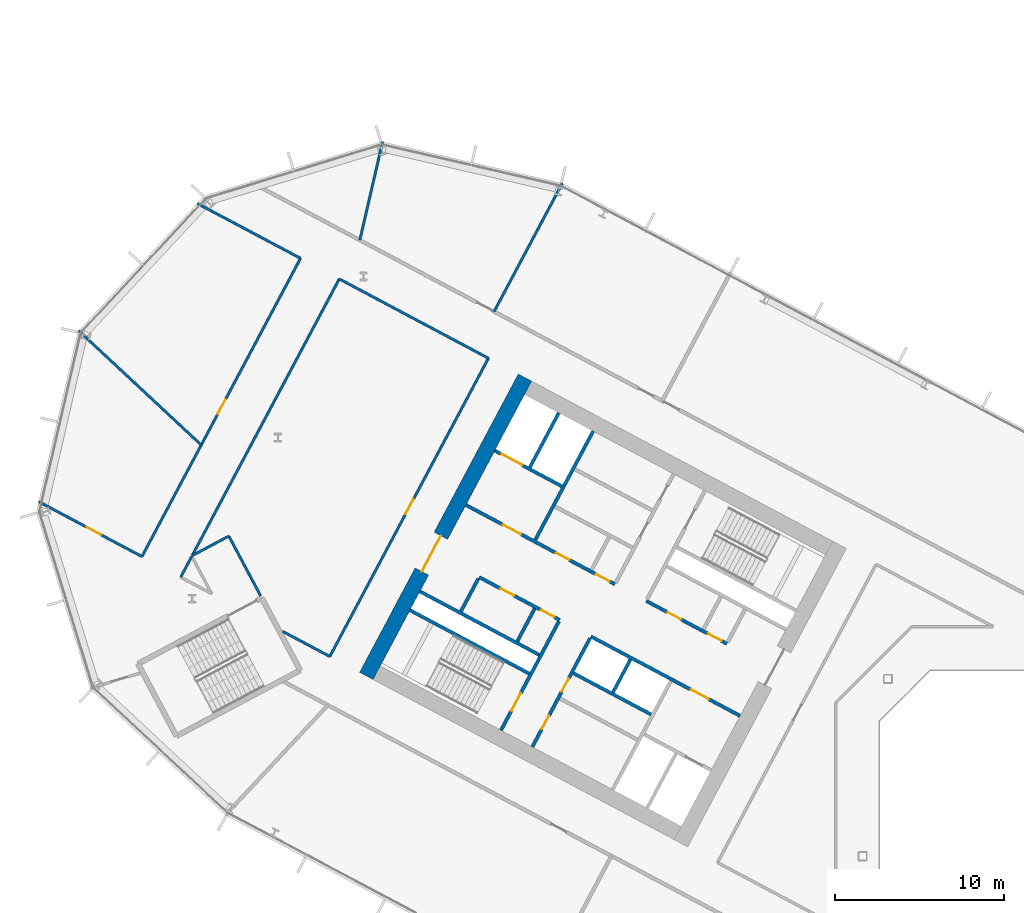
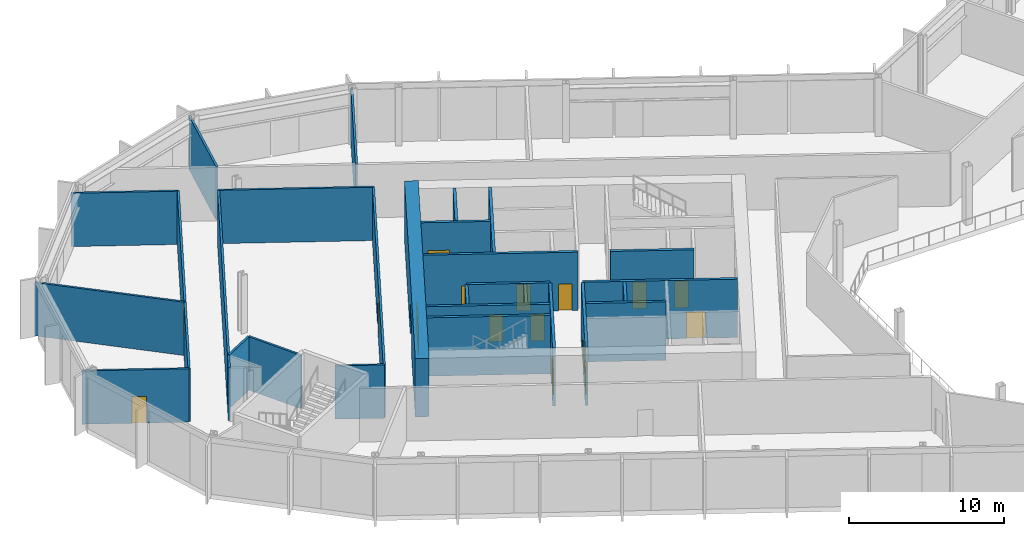
# One storey, part 15 of 31: 29 walls, 16 doors, 16 openings.
"""IFC4 building model written with IfcOpenShell, lengths in metres."""

from ifc_helpers import new_model, si_unit, direction, frame, frame_2d, origin, place, context, subcontext, project, spatial, rectangle, extrude, material, layer, layer_set, type_object, element, fill, save


model = new_model("IFC4")

# Units and contexts
model_context = context("Model", 3, precision=1e-05, world=origin(), true_north=direction((0.0, 1.0)))
body_context = subcontext(model_context, "Body", "Model", "MODEL_VIEW")
ifc_project = project(units=[si_unit("LENGTHUNIT", "METRE"), si_unit("AREAUNIT", "SQUARE_METRE"), si_unit("VOLUMEUNIT", "CUBIC_METRE"), si_unit("PLANEANGLEUNIT", "RADIAN"), si_unit("MASSUNIT", "GRAM", prefix="KILO")], contexts=[model_context])

# Site, building, storey
site_placement = place(None, origin())
site = spatial("IfcSite", under=ifc_project, at=site_placement, CompositionType="ELEMENT")
building_placement = place(site_placement, origin())
building = spatial("IfcBuilding", under=site, at=building_placement, Name="Cormorant Relay Tower", CompositionType="ELEMENT")
storey_placement = place(building_placement, frame((0.0, 0.0, 93.800048828125)))
storey = spatial("IfcBuildingStorey", under=building, at=storey_placement, Name="L18", CompositionType="ELEMENT", Elevation=93.800048828125)

# Walls
ifc_material_1 = material(Name="Concrete 40 MPa", Category="concrete")
ifc_layer_1 = layer(ifc_material_1, 0.199951171875)
ifc_layer_set_1 = layer_set([ifc_layer_1], Name="Core internal wall 200")
wall_type_1 = type_object("IfcWallType", Name="Core internal wall 200", PredefinedType="SOLIDWALL", material=ifc_layer_set_1)
wall_1_placement = place(storey_placement, frame((-25.744140625, 11.64990234375, 0.0), z_axis=(0.0, 0.0, 1.0), x_axis=(-0.469487830541, -0.882938942948, 0.0)))
element("IfcWall", 1, at=wall_1_placement, inside=storey, type_object=wall_type_1, Name="L18 core A shaft and room wall", PredefinedType="SOLIDWALL", context=body_context, shape_type="SweptSolid", body=[
    extrude(rectangle(XDim=2.2001953125, YDim=0.199951171875, at=frame_2d((1.10009765625, 0.0))), origin(), (0.0, 0.0, 1.0), 4.599853515625),
])
wall_2_placement = place(storey_placement, frame((-31.41259765625, 14.663818359375, 0.0), z_axis=(0.0, 0.0, 1.0), x_axis=(-0.469533832133, -0.882914480843, 0.0)))
element("IfcWall", 2, at=wall_2_placement, inside=storey, type_object=wall_type_1, Name="L18 core A shaft and room wall", PredefinedType="SOLIDWALL", context=body_context, shape_type="SweptSolid", body=[
    extrude(rectangle(XDim=2.199951171875, YDim=0.199951171875, at=frame_2d((1.10009765625, 0.0))), origin(), (0.0, 0.0, 1.0), 4.599853515625),
])

# Wall, openings, doors
ifc_material_2 = material(Name="Concrete 50 MPa", Category="concrete")
ifc_layer_2 = layer(ifc_material_2, 0.199951171875)
ifc_layer_set_2 = layer_set([ifc_layer_2], Name="Core shaft wall 200")
wall_type_2 = type_object("IfcWallType", Name="Core shaft wall 200", PredefinedType="SHEAR", material=ifc_layer_set_2)
wall_3_placement = place(storey_placement, frame((-28.128173828125, 12.91748046875, 0.0), z_axis=(0.0, 0.0, 1.0), x_axis=(-0.469454336211, -0.882956752176, 0.0)))
wall_3 = element("IfcWall", 3, at=wall_3_placement, inside=storey, type_object=wall_type_2, Name="L18 core A shaft wall", PredefinedType="SHEAR", context=body_context, shape_type="SweptSolid", body=[
    extrude(rectangle(XDim=7.300048828125, YDim=0.199951171875, at=frame_2d((3.64990234375, 0.0))), origin(), (0.0, 0.0, 1.0), 4.599853515625),
])
opening_1_placement = place(wall_3_placement, frame((2.699951171875, 0.0, 0.0)))
opening_1 = element("IfcOpeningElement", 4, at=opening_1_placement, cuts=wall_3, Name="Opening CDD-138", PredefinedType="OPENING", context=body_context, shape_type="SweptSolid", body=[
    extrude(rectangle(XDim=0.89990234375, YDim=2.10009765625, at=frame_2d((0.449951171875, 1.050048828125))), frame((0.0, 0.10986328125, 0.0), z_axis=(0.0, -1.0, 0.0), x_axis=(1.0, 0.0, 0.0)), (0.0, 0.0, 1.0), 0.219970703125),
])
opening_2_placement = place(wall_3_placement, frame((5.199951171875, 0.0, 0.0)))
opening_2 = element("IfcOpeningElement", 5, at=opening_2_placement, cuts=wall_3, Name="Opening CDD-139", PredefinedType="OPENING", context=body_context, shape_type="SweptSolid", body=[
    extrude(rectangle(XDim=0.89990234375, YDim=2.10009765625, at=frame_2d((0.449951171875, 1.050048828125))), frame((0.0, 0.10986328125, 0.0), z_axis=(0.0, -1.0, 0.0), x_axis=(1.0, 0.0, 0.0)), (0.0, 0.0, 1.0), 0.219970703125),
])
ifc_material_3 = material(Name="Steel fire door", Category="steel")
door_type_1 = type_object("IfcDoorType", Name="Core room door 900x2100", OperationType="SINGLE_SWING_LEFT", PredefinedType="DOOR", material=ifc_material_3)
door_1_placement = place(opening_1_placement, origin())
door_1 = element("IfcDoor", 6, at=door_1_placement, inside=storey, type_object=door_type_1, Name="Core room door 900x2100", OperationType="SINGLE_SWING_LEFT", OverallHeight=2.10009765625, OverallWidth=0.89990234375, PredefinedType="DOOR", context=body_context, shape_type="SweptSolid", body=[
    extrude(rectangle(XDim=0.89990234375, YDim=2.10009765625, at=frame_2d((0.449951171875, 1.050048828125))), frame((0.0, 0.02490234375, 0.0), z_axis=(0.0, -1.0, 0.0), x_axis=(1.0, 0.0, 0.0)), (0.0, 0.0, 1.0), 0.050048828125),
])
fill(opening_1, door_1)
door_2_placement = place(opening_2_placement, origin())
door_2 = element("IfcDoor", 7, at=door_2_placement, inside=storey, type_object=door_type_1, Name="Core room door 900x2100", OperationType="SINGLE_SWING_LEFT", OverallHeight=2.10009765625, OverallWidth=0.89990234375, PredefinedType="DOOR", context=body_context, shape_type="SweptSolid", body=[
    extrude(rectangle(XDim=0.89990234375, YDim=2.10009765625, at=frame_2d((0.449951171875, 1.050048828125))), frame((0.0, 0.02490234375, 0.0), z_axis=(0.0, -1.0, 0.0), x_axis=(1.0, 0.0, 0.0)), (0.0, 0.0, 1.0), 0.050048828125),
])
fill(opening_2, door_2)

# Wall, opening, door
wall_4_placement = place(storey_placement, frame((-29.982421875, 13.9033203125, 0.0), z_axis=(0.0, 0.0, 1.0), x_axis=(-0.469454336211, -0.882956752176, 0.0)))
wall_4 = element("IfcWall", 8, at=wall_4_placement, inside=storey, type_object=wall_type_2, Name="L18 core A shaft wall", PredefinedType="SHEAR", context=body_context, shape_type="SweptSolid", body=[
    extrude(rectangle(XDim=7.300048828125, YDim=0.199951171875, at=frame_2d((3.64990234375, 0.0))), origin(), (0.0, 0.0, 1.0), 4.599853515625),
])
opening_3_placement = place(wall_4_placement, frame((4.800048828125, 0.0, 0.0)))
opening_3 = element("IfcOpeningElement", 9, at=opening_3_placement, cuts=wall_4, Name="Opening CDB-025", PredefinedType="OPENING", context=body_context, shape_type="SweptSolid", body=[
    extrude(rectangle(XDim=1.199951171875, YDim=2.10009765625, at=frame_2d((0.60009765625, 1.050048828125))), frame((0.0, 0.10986328125, 0.0), z_axis=(0.0, -1.0, 0.0), x_axis=(1.0, 0.0, 0.0)), (0.0, 0.0, 1.0), 0.219970703125),
])
ifc_material_4 = material(Name="Steel fire door", Category="steel")
door_type_2 = type_object("IfcDoorType", Name="Core stair door 1200x2100", OperationType="SINGLE_SWING_LEFT", PredefinedType="DOOR", material=ifc_material_4)
door_3_placement = place(opening_3_placement, frame((1.199951171875, 0.0, 0.0), z_axis=(0.0, 0.0, 1.0), x_axis=(-1.0, 0.0, 0.0)))
door_3 = element("IfcDoor", 10, at=door_3_placement, inside=storey, type_object=door_type_2, Name="Core stair door 1200x2100", OperationType="SINGLE_SWING_RIGHT", OverallHeight=2.10009765625, OverallWidth=1.199951171875, PredefinedType="DOOR", context=body_context, shape_type="SweptSolid", body=[
    extrude(rectangle(XDim=1.199951171875, YDim=2.10009765625, at=frame_2d((0.60009765625, 1.050048828125))), frame((0.0, 0.02490234375, 0.0), z_axis=(0.0, -1.0, 0.0), x_axis=(1.0, 0.0, 0.0)), (0.0, 0.0, 1.0), 0.050048828125),
])
fill(opening_3, door_3)

# Walls
wall_5_placement = place(storey_placement, frame((-27.955322265625, 25.170654296875, 0.0), z_axis=(0.0, 0.0, 1.0), x_axis=(-0.469480409012, -0.88294288918, 0.0)))
element("IfcWall", 11, at=wall_5_placement, inside=storey, type_object=wall_type_2, Name="L18 core A shaft wall", PredefinedType="SHEAR", context=body_context, shape_type="SweptSolid", body=[
    extrude(rectangle(XDim=7.300048828125, YDim=0.199951171875, at=frame_2d((3.64990234375, 0.0))), origin(), (0.0, 0.0, 1.0), 4.599853515625),
])
wall_6_placement = place(storey_placement, frame((-34.750244140625, 16.4384765625, 0.0), z_axis=(0.0, 0.0, 1.0), x_axis=(-0.469401318492, -0.882984938828, 0.0)))
element("IfcWall", 12, at=wall_6_placement, inside=storey, type_object=wall_type_2, Name="L18 core A shaft wall", PredefinedType="SHEAR", context=body_context, shape_type="SweptSolid", body=[
    extrude(rectangle(XDim=2.199951171875, YDim=0.199951171875, at=frame_2d((1.10009765625, 0.0))), origin(), (0.0, 0.0, 1.0), 4.599853515625),
])
wall_7_placement = place(storey_placement, frame((-29.986083984375, 26.250244140625, 0.0), z_axis=(0.0, 0.0, 1.0), x_axis=(-0.469494272526, -0.882935517501, 0.0)))
element("IfcWall", 13, at=wall_7_placement, inside=storey, type_object=wall_type_2, Name="L18 core A shaft wall", PredefinedType="SHEAR", context=body_context, shape_type="SweptSolid", body=[
    extrude(rectangle(XDim=3.64990234375, YDim=0.199951171875, at=frame_2d((1.824951171875, 0.0))), origin(), (0.0, 0.0, 1.0), 4.599853515625),
])

# Wall, opening, door
wall_8_placement = place(storey_placement, frame((-29.80419921875, 21.906494140625, 0.0), z_axis=(0.0, 0.0, 1.0), x_axis=(-0.882960433586, 0.469447412093, 0.0)))
wall_8 = element("IfcWall", 14, at=wall_8_placement, inside=storey, type_object=wall_type_2, Name="L18 core A shaft wall", PredefinedType="SHEAR", context=body_context, shape_type="SweptSolid", body=[
    extrude(rectangle(XDim=4.5, YDim=0.199951171875, at=frame_2d((2.25, 0.0))), origin(), (0.0, 0.0, 1.0), 4.599853515625),
])
opening_4_placement = place(wall_8_placement, frame((2.64990234375, 0.0, 0.0)))
opening_4 = element("IfcOpeningElement", 15, at=opening_4_placement, cuts=wall_8, Name="Opening LD3-009", PredefinedType="OPENING", context=body_context, shape_type="SweptSolid", body=[
    extrude(rectangle(XDim=1.39990234375, YDim=2.39990234375, at=frame_2d((0.699951171875, 1.199951171875))), frame((0.0, 0.10986328125, 0.0), z_axis=(0.0, -1.0, 0.0), x_axis=(1.0, 0.0, 0.0)), (0.0, 0.0, 1.0), 0.219970703125),
])
ifc_material_5 = material(Name="Stainless steel 316", Category="steel")
door_type_3 = type_object("IfcDoorType", Name="Lift landing door 1400x2400", OperationType="DOUBLE_DOOR_SLIDING", PredefinedType="DOOR", material=ifc_material_5)
door_4_placement = place(opening_4_placement, origin())
door_4 = element("IfcDoor", 16, at=door_4_placement, inside=storey, type_object=door_type_3, Name="SV1 landing door", OperationType="DOUBLE_DOOR_SLIDING", OverallHeight=2.39990234375, OverallWidth=1.39990234375, PredefinedType="DOOR", context=body_context, shape_type="SweptSolid", body=[
    extrude(rectangle(XDim=1.39990234375, YDim=2.39990234375, at=frame_2d((0.699951171875, 1.199951171875))), frame((0.0, 0.02490234375, 0.0), z_axis=(0.0, -1.0, 0.0), x_axis=(1.0, 0.0, 0.0)), (0.0, 0.0, 1.0), 0.050048828125),
])
fill(opening_4, door_4)

# Wall, openings, doors
wall_9_placement = place(storey_placement, frame((-20.03955078125, 12.58056640625, 0.0), z_axis=(0.0, 0.0, 1.0), x_axis=(-0.882942972946, 0.469480251476, 0.0)))
wall_9 = element("IfcWall", 17, at=wall_9_placement, inside=storey, type_object=wall_type_2, Name="L18 core A shaft wall", PredefinedType="SHEAR", context=body_context, shape_type="SweptSolid", body=[
    extrude(rectangle(XDim=5.39990234375, YDim=0.199951171875, at=frame_2d((2.699951171875, 0.0))), origin(), (0.0, 0.0, 1.0), 4.599853515625),
])
opening_5_placement = place(wall_9_placement, frame((0.360107421875, 0.0, 0.0)))
opening_5 = element("IfcOpeningElement", 18, at=opening_5_placement, cuts=wall_9, Name="Opening CDD-110", PredefinedType="OPENING", context=body_context, shape_type="SweptSolid", body=[
    extrude(rectangle(XDim=0.89990234375, YDim=2.10009765625, at=frame_2d((0.449951171875, 1.050048828125))), frame((0.0, 0.10986328125, 0.0), z_axis=(0.0, -1.0, 0.0), x_axis=(1.0, 0.0, 0.0)), (0.0, 0.0, 1.0), 0.219970703125),
])
opening_6_placement = place(wall_9_placement, frame((3.06005859375, 0.0, 0.0)))
opening_6 = element("IfcOpeningElement", 19, at=opening_6_placement, cuts=wall_9, Name="Opening CDD-111", PredefinedType="OPENING", context=body_context, shape_type="SweptSolid", body=[
    extrude(rectangle(XDim=0.89990234375, YDim=2.10009765625, at=frame_2d((0.449951171875, 1.050048828125))), frame((0.0, 0.10986328125, 0.0), z_axis=(0.0, -1.0, 0.0), x_axis=(1.0, 0.0, 0.0)), (0.0, 0.0, 1.0), 0.219970703125),
])
door_5_placement = place(opening_5_placement, frame((0.89990234375, 0.0, 0.0), z_axis=(0.0, 0.0, 1.0), x_axis=(-1.0, 0.0, 0.0)))
door_5 = element("IfcDoor", 20, at=door_5_placement, inside=storey, type_object=door_type_1, Name="Core room door 900x2100", OperationType="SINGLE_SWING_RIGHT", OverallHeight=2.10009765625, OverallWidth=0.89990234375, PredefinedType="DOOR", context=body_context, shape_type="SweptSolid", body=[
    extrude(rectangle(XDim=0.89990234375, YDim=2.10009765625, at=frame_2d((0.449951171875, 1.050048828125))), frame((0.0, 0.02490234375, 0.0), z_axis=(0.0, -1.0, 0.0), x_axis=(1.0, 0.0, 0.0)), (0.0, 0.0, 1.0), 0.050048828125),
])
fill(opening_5, door_5)
door_6_placement = place(opening_6_placement, frame((0.89990234375, 0.0, 0.0), z_axis=(0.0, 0.0, 1.0), x_axis=(-1.0, 0.0, 0.0)))
door_6 = element("IfcDoor", 21, at=door_6_placement, inside=storey, type_object=door_type_1, Name="Core room door 900x2100", OperationType="SINGLE_SWING_RIGHT", OverallHeight=2.10009765625, OverallWidth=0.89990234375, PredefinedType="DOOR", context=body_context, shape_type="SweptSolid", body=[
    extrude(rectangle(XDim=0.89990234375, YDim=2.10009765625, at=frame_2d((0.449951171875, 1.050048828125))), frame((0.0, 0.02490234375, 0.0), z_axis=(0.0, -1.0, 0.0), x_axis=(1.0, 0.0, 0.0)), (0.0, 0.0, 1.0), 0.050048828125),
])
fill(opening_6, door_6)

wall_10_placement = place(storey_placement, frame((-26.66162109375, 16.1015625, 0.0), z_axis=(0.0, 0.0, 1.0), x_axis=(-0.882940221191, 0.469485426614, 0.0)))
wall_10 = element("IfcWall", 22, at=wall_10_placement, inside=storey, type_object=wall_type_2, Name="L18 core A shaft wall", PredefinedType="SHEAR", context=body_context, shape_type="SweptSolid", body=[
    extrude(rectangle(XDim=10.0, YDim=0.199951171875, at=frame_2d((5.0, 0.0))), origin(), (0.0, 0.0, 1.0), 4.599853515625),
])
opening_7_placement = place(wall_10_placement, frame((6.300048828125, 0.0, 0.0)))
opening_7 = element("IfcOpeningElement", 23, at=opening_7_placement, cuts=wall_10, Name="Opening CDC-018", PredefinedType="OPENING", context=body_context, shape_type="SweptSolid", body=[
    extrude(rectangle(XDim=1.199951171875, YDim=2.10009765625, at=frame_2d((0.60009765625, 1.050048828125))), frame((0.0, 0.10986328125, 0.0), z_axis=(0.0, -1.0, 0.0), x_axis=(1.0, 0.0, 0.0)), (0.0, 0.0, 1.0), 0.219970703125),
])
opening_8_placement = place(wall_10_placement, frame((0.360107421875, 0.0, 0.0)))
opening_8 = element("IfcOpeningElement", 24, at=opening_8_placement, cuts=wall_10, Name="Opening CDD-112", PredefinedType="OPENING", context=body_context, shape_type="SweptSolid", body=[
    extrude(rectangle(XDim=0.89990234375, YDim=2.10009765625, at=frame_2d((0.449951171875, 1.050048828125))), frame((0.0, 0.10986328125, 0.0), z_axis=(0.0, -1.0, 0.0), x_axis=(1.0, 0.0, 0.0)), (0.0, 0.0, 1.0), 0.219970703125),
])
opening_9_placement = place(wall_10_placement, frame((3.06005859375, 0.0, 0.0)))
opening_9 = element("IfcOpeningElement", 25, at=opening_9_placement, cuts=wall_10, Name="Opening CDD-113", PredefinedType="OPENING", context=body_context, shape_type="SweptSolid", body=[
    extrude(rectangle(XDim=0.89990234375, YDim=2.10009765625, at=frame_2d((0.449951171875, 1.050048828125))), frame((0.0, 0.10986328125, 0.0), z_axis=(0.0, -1.0, 0.0), x_axis=(1.0, 0.0, 0.0)), (0.0, 0.0, 1.0), 0.219970703125),
])
ifc_material_6 = material(Name="Steel fire door", Category="steel")
door_type_4 = type_object("IfcDoorType", Name="Core lobby door 1200x2100", OperationType="SINGLE_SWING_LEFT", PredefinedType="DOOR", material=ifc_material_6)
door_7_placement = place(opening_7_placement, origin())
door_7 = element("IfcDoor", 26, at=door_7_placement, inside=storey, type_object=door_type_4, Name="Core lobby door 1200x2100", OperationType="SINGLE_SWING_LEFT", OverallHeight=2.10009765625, OverallWidth=1.199951171875, PredefinedType="DOOR", context=body_context, shape_type="SweptSolid", body=[
    extrude(rectangle(XDim=1.199951171875, YDim=2.10009765625, at=frame_2d((0.60009765625, 1.050048828125))), frame((0.0, 0.02490234375, 0.0), z_axis=(0.0, -1.0, 0.0), x_axis=(1.0, 0.0, 0.0)), (0.0, 0.0, 1.0), 0.050048828125),
])
fill(opening_7, door_7)
door_8_placement = place(opening_8_placement, frame((0.89990234375, 0.0, 0.0), z_axis=(0.0, 0.0, 1.0), x_axis=(-1.0, 0.0, 0.0)))
door_8 = element("IfcDoor", 27, at=door_8_placement, inside=storey, type_object=door_type_1, Name="Core room door 900x2100", OperationType="SINGLE_SWING_RIGHT", OverallHeight=2.10009765625, OverallWidth=0.89990234375, PredefinedType="DOOR", context=body_context, shape_type="SweptSolid", body=[
    extrude(rectangle(XDim=0.89990234375, YDim=2.10009765625, at=frame_2d((0.449951171875, 1.050048828125))), frame((0.0, 0.02490234375, 0.0), z_axis=(0.0, -1.0, 0.0), x_axis=(1.0, 0.0, 0.0)), (0.0, 0.0, 1.0), 0.050048828125),
])
fill(opening_8, door_8)
door_9_placement = place(opening_9_placement, frame((0.89990234375, 0.0, 0.0), z_axis=(0.0, 0.0, 1.0), x_axis=(-1.0, 0.0, 0.0)))
door_9 = element("IfcDoor", 28, at=door_9_placement, inside=storey, type_object=door_type_1, Name="Core room door 900x2100", OperationType="SINGLE_SWING_RIGHT", OverallHeight=2.10009765625, OverallWidth=0.89990234375, PredefinedType="DOOR", context=body_context, shape_type="SweptSolid", body=[
    extrude(rectangle(XDim=0.89990234375, YDim=2.10009765625, at=frame_2d((0.449951171875, 1.050048828125))), frame((0.0, 0.02490234375, 0.0), z_axis=(0.0, -1.0, 0.0), x_axis=(1.0, 0.0, 0.0)), (0.0, 0.0, 1.0), 0.050048828125),
])
fill(opening_9, door_9)

# Wall, opening, door
wall_11_placement = place(storey_placement, frame((-19.251708984375, 8.31103515625, 0.0), z_axis=(0.0, 0.0, 1.0), x_axis=(-0.882955722218, 0.469456273365, 0.0)))
wall_11 = element("IfcWall", 29, at=wall_11_placement, inside=storey, type_object=wall_type_2, Name="L18 core A shaft wall", PredefinedType="SHEAR", context=body_context, shape_type="SweptSolid", body=[
    extrude(rectangle(XDim=10.0, YDim=0.199951171875, at=frame_2d((5.0, 0.0))), origin(), (0.0, 0.0, 1.0), 4.599853515625),
])
opening_10_placement = place(wall_11_placement, frame((2.10009765625, 0.0, 0.0)))
opening_10 = element("IfcOpeningElement", 30, at=opening_10_placement, cuts=wall_11, Name="Opening CDC-017", PredefinedType="OPENING", context=body_context, shape_type="SweptSolid", body=[
    extrude(rectangle(XDim=1.199951171875, YDim=2.10009765625, at=frame_2d((0.60009765625, 1.050048828125))), frame((0.0, 0.10986328125, 0.0), z_axis=(0.0, -1.0, 0.0), x_axis=(1.0, 0.0, 0.0)), (0.0, 0.0, 1.0), 0.219970703125),
])
door_10_placement = place(opening_10_placement, origin())
door_10 = element("IfcDoor", 31, at=door_10_placement, inside=storey, type_object=door_type_4, Name="Core lobby door 1200x2100", OperationType="SINGLE_SWING_RIGHT", OverallHeight=2.10009765625, OverallWidth=1.199951171875, PredefinedType="DOOR", context=body_context, shape_type="SweptSolid", body=[
    extrude(rectangle(XDim=1.199951171875, YDim=2.10009765625, at=frame_2d((0.60009765625, 1.050048828125))), frame((0.0, 0.02490234375, 0.0), z_axis=(0.0, -1.0, 0.0), x_axis=(1.0, 0.0, 0.0)), (0.0, 0.0, 1.0), 0.050048828125),
])
fill(opening_10, door_10)

# Wall, openings, doors
wall_12_placement = place(storey_placement, frame((-29.935302734375, 13.991455078125, 0.0), z_axis=(0.0, 0.0, 1.0), x_axis=(-0.882952937579, 0.469461510692, 0.0)))
wall_12 = element("IfcWall", 32, at=wall_12_placement, inside=storey, type_object=wall_type_2, Name="L18 core A shaft wall", PredefinedType="SHEAR", context=body_context, shape_type="SweptSolid", body=[
    extrude(rectangle(XDim=5.400146484375, YDim=0.199951171875, at=frame_2d((2.7001953125, 0.0))), origin(), (0.0, 0.0, 1.0), 4.599853515625),
])
opening_11_placement = place(wall_12_placement, frame((0.360107421875, 0.0, 0.0)))
opening_11 = element("IfcOpeningElement", 33, at=opening_11_placement, cuts=wall_12, Name="Opening CDD-108", PredefinedType="OPENING", context=body_context, shape_type="SweptSolid", body=[
    extrude(rectangle(XDim=0.89990234375, YDim=2.10009765625, at=frame_2d((0.449951171875, 1.050048828125))), frame((0.0, 0.10986328125, 0.0), z_axis=(0.0, -1.0, 0.0), x_axis=(1.0, 0.0, 0.0)), (0.0, 0.0, 1.0), 0.219970703125),
])
opening_12_placement = place(wall_12_placement, frame((3.06005859375, 0.0, 0.0)))
opening_12 = element("IfcOpeningElement", 34, at=opening_12_placement, cuts=wall_12, Name="Opening CDD-109", PredefinedType="OPENING", context=body_context, shape_type="SweptSolid", body=[
    extrude(rectangle(XDim=0.89990234375, YDim=2.10009765625, at=frame_2d((0.449951171875, 1.050048828125))), frame((0.0, 0.10986328125, 0.0), z_axis=(0.0, -1.0, 0.0), x_axis=(1.0, 0.0, 0.0)), (0.0, 0.0, 1.0), 0.219970703125),
])
door_11_placement = place(opening_11_placement, origin())
door_11 = element("IfcDoor", 35, at=door_11_placement, inside=storey, type_object=door_type_1, Name="Core room door 900x2100", OperationType="SINGLE_SWING_LEFT", OverallHeight=2.10009765625, OverallWidth=0.89990234375, PredefinedType="DOOR", context=body_context, shape_type="SweptSolid", body=[
    extrude(rectangle(XDim=0.89990234375, YDim=2.10009765625, at=frame_2d((0.449951171875, 1.050048828125))), frame((0.0, 0.02490234375, 0.0), z_axis=(0.0, -1.0, 0.0), x_axis=(1.0, 0.0, 0.0)), (0.0, 0.0, 1.0), 0.050048828125),
])
fill(opening_11, door_11)
door_12_placement = place(opening_12_placement, origin())
door_12 = element("IfcDoor", 36, at=door_12_placement, inside=storey, type_object=door_type_1, Name="Core room door 900x2100", OperationType="SINGLE_SWING_LEFT", OverallHeight=2.10009765625, OverallWidth=0.89990234375, PredefinedType="DOOR", context=body_context, shape_type="SweptSolid", body=[
    extrude(rectangle(XDim=0.89990234375, YDim=2.10009765625, at=frame_2d((0.449951171875, 1.050048828125))), frame((0.0, 0.02490234375, 0.0), z_axis=(0.0, -1.0, 0.0), x_axis=(1.0, 0.0, 0.0)), (0.0, 0.0, 1.0), 0.050048828125),
])
fill(opening_12, door_12)

# Walls
wall_13_placement = place(storey_placement, frame((-24.5283203125, 8.3984375, 0.0), z_axis=(0.0, 0.0, 1.0), x_axis=(-0.882953967957, 0.469459572775, 0.0)))
element("IfcWall", 37, at=wall_13_placement, inside=storey, type_object=wall_type_2, Name="L18 core A shaft wall", PredefinedType="SHEAR", context=body_context, shape_type="SweptSolid", body=[
    extrude(rectangle(XDim=5.199951171875, YDim=0.199951171875, at=frame_2d((2.60009765625, 0.0))), origin(), (0.0, 0.0, 1.0), 4.599853515625),
])
for number, where, z_axis, x_axis, name in (
    (38, (-31.150390625, 11.91943359375, 0.0), (0.0, 0.0, 1.0), (-0.882940221191, 0.469485426614, 0.0), "L18 core A shaft wall"),
    (39, (-31.7373046875, 10.815673828125, 0.0), (0.0, 0.0, 1.0), (-0.882940221191, 0.469485426614, 0.0), "L18 core A shaft wall"),
):
    element("IfcWall", number, at=place(storey_placement, frame(where, z_axis=z_axis, x_axis=x_axis)), inside=storey, type_object=wall_type_2, Name=name, PredefinedType="SHEAR", context=body_context, shape_type="SweptSolid", body=[
        extrude(rectangle(XDim=8.0, YDim=0.199951171875, at=frame_2d((4.0, 0.0))), origin(), (0.0, 0.0, 1.0), 4.599853515625),
    ])

# Wall, opening, door
ifc_material_7 = material(Name="Concrete 70 MPa", Category="concrete")
ifc_layer_3 = layer(ifc_material_7, 0.89990234375)
ifc_layer_set_3 = layer_set([ifc_layer_3], Name="Core wall 900")
wall_type_3 = type_object("IfcWallType", Name="Core wall 900", PredefinedType="SHEAR", material=ifc_layer_set_3)
wall_14_placement = place(storey_placement, frame((-31.99169921875, 28.3359375, 0.0), z_axis=(0.0, 0.0, 1.0), x_axis=(-0.46947084998, -0.882947971864, 0.0)))
wall_14 = element("IfcWall", 40, at=wall_14_placement, inside=storey, type_object=wall_type_3, Name="L18 core A wall", PredefinedType="SHEAR", context=body_context, shape_type="SweptSolid", body=[
    extrude(rectangle(XDim=20.0, YDim=0.89990234375, at=frame_2d((10.0, 0.0))), origin(), (0.0, 0.0, 1.0), 4.599853515625),
])
opening_13_placement = place(wall_14_placement, frame((10.60009765625, 0.0, 0.0)))
opening_13 = element("IfcOpeningElement", 41, at=opening_13_placement, cuts=wall_14, Name="Opening CDA-018", PredefinedType="OPENING", context=body_context, shape_type="SweptSolid", body=[
    extrude(rectangle(XDim=2.39990234375, YDim=2.39990234375, at=frame_2d((1.199951171875, 1.199951171875))), frame((0.0, 0.4599609375, 0.0), z_axis=(0.0, -1.0, 0.0), x_axis=(1.0, 0.0, 0.0)), (0.0, 0.0, 1.0), 0.919921875),
])
ifc_material_8 = material(Name="Steel fire door", Category="steel")
door_type_5 = type_object("IfcDoorType", Name="Core lobby door 2400x2400", OperationType="DOUBLE_DOOR_SINGLE_SWING", PredefinedType="DOOR", material=ifc_material_8)
door_13_placement = place(opening_13_placement, origin())
door_13 = element("IfcDoor", 42, at=door_13_placement, inside=storey, type_object=door_type_5, Name="Core lobby door 2400x2400", OperationType="DOUBLE_DOOR_SINGLE_SWING", OverallHeight=2.39990234375, OverallWidth=2.39990234375, PredefinedType="DOOR", context=body_context, shape_type="SweptSolid", body=[
    extrude(rectangle(XDim=2.39990234375, YDim=2.39990234375, at=frame_2d((1.199951171875, 1.199951171875))), frame((0.0, 0.02490234375, 0.0), z_axis=(0.0, -1.0, 0.0), x_axis=(1.0, 0.0, 0.0)), (0.0, 0.0, 1.0), 0.050048828125),
])
fill(opening_13, door_13)

ifc_material_9 = material(Name="Gypsum board partition")
ifc_layer_4 = layer(ifc_material_9, 0.14990234375)
ifc_layer_set_4 = layer_set([ifc_layer_4], Name="Gypsum board partition 150")
wall_type_4 = type_object("IfcWallType", Name="Gypsum board partition 150", PredefinedType="PARTITIONING", material=ifc_layer_set_4)
wall_15_placement = place(storey_placement, frame((-54.669921875, 17.742919921875, 0.0), z_axis=(0.0, 0.0, 1.0), x_axis=(0.469484822724, 0.882940542297, 0.0)))
wall_15 = element("IfcWall", 43, at=wall_15_placement, inside=storey, type_object=wall_type_4, Name="wall/L18/part/1", PredefinedType="PARTITIONING", context=body_context, shape_type="SweptSolid", body=[
    extrude(rectangle(XDim=20.00048828125, YDim=0.14990234375, at=frame_2d((10.000244140625, 0.0))), origin(), (0.0, 0.0, 1.0), 4.199951171875),
])
opening_14_placement = place(wall_15_placement, frame((9.550048828125, 0.0, 0.0)))
opening_14 = element("IfcOpeningElement", 44, at=opening_14_placement, cuts=wall_15, Name="Opening D1-044", PredefinedType="OPENING", context=body_context, shape_type="SweptSolid", body=[
    extrude(rectangle(XDim=1.0, YDim=2.10009765625, at=frame_2d((0.5, 1.050048828125))), frame((0.0, 0.0849609375, 0.0), z_axis=(0.0, -1.0, 0.0), x_axis=(1.0, 0.0, 0.0)), (0.0, 0.0, 1.0), 0.169921875),
])
ifc_material_10 = material(Name="Painted steel door", Category="steel")
door_type_6 = type_object("IfcDoorType", Name="Single door 1000 x 2100", OperationType="SINGLE_SWING_LEFT", PredefinedType="DOOR", material=ifc_material_10)
door_14_placement = place(opening_14_placement, origin())
door_14 = element("IfcDoor", 45, at=door_14_placement, inside=storey, type_object=door_type_6, Name="door/L18/1", OperationType="SINGLE_SWING_RIGHT", OverallHeight=2.10009765625, OverallWidth=1.0, PredefinedType="DOOR", context=body_context, shape_type="SweptSolid", body=[
    extrude(rectangle(XDim=1.0, YDim=2.10009765625, at=frame_2d((0.5, 1.050048828125))), frame((0.0, 0.02490234375, 0.0), z_axis=(0.0, -1.0, 0.0), x_axis=(1.0, 0.0, 0.0)), (0.0, 0.0, 1.0), 0.050048828125),
])
fill(opening_14, door_14)

# Walls
wall_16_placement = place(storey_placement, frame((-45.280029296875, 35.402099609375, 0.0), z_axis=(0.0, 0.0, 1.0), x_axis=(-0.883034938071, 0.469307253456, 0.0)))
element("IfcWall", 46, at=wall_16_placement, inside=storey, type_object=wall_type_4, Name="wall/L18/part/2", PredefinedType="PARTITIONING", context=body_context, shape_type="SweptSolid", body=[
    extrude(rectangle(XDim=6.92724609375, YDim=0.14990234375, at=frame_2d((3.463623046875, 0.0))), origin(), (0.0, 0.0, 1.0), 4.199951171875),
])
wall_17_placement = place(storey_placement, frame((-58.427001953125, 31.125, 0.0), z_axis=(0.0, 0.0, 1.0), x_axis=(0.731469280526, -0.6818743958, 0.0)))
element("IfcWall", 47, at=wall_17_placement, inside=storey, type_object=wall_type_4, Name="wall/L18/part/3", PredefinedType="PARTITIONING", context=body_context, shape_type="SweptSolid", body=[
    extrude(rectangle(XDim=9.93896484375, YDim=0.14990234375, at=frame_2d((4.969482421875, 0.0))), origin(), (0.0, 0.0, 1.0), 4.199951171875),
])

# Wall, opening, door
wall_18_placement = place(storey_placement, frame((-54.669921875, 17.742919921875, 0.0), z_axis=(0.0, 0.0, 1.0), x_axis=(-0.882930834394, 0.469503079517, 0.0)))
wall_18 = element("IfcWall", 48, at=wall_18_placement, inside=storey, type_object=wall_type_4, Name="wall/L18/part/4", PredefinedType="PARTITIONING", context=body_context, shape_type="SweptSolid", body=[
    extrude(rectangle(XDim=6.927001953125, YDim=0.14990234375, at=frame_2d((3.46337890625, 0.0))), origin(), (0.0, 0.0, 1.0), 4.199951171875),
])
opening_15_placement = place(wall_18_placement, frame((2.75, 0.0, 0.0)))
opening_15 = element("IfcOpeningElement", 49, at=opening_15_placement, cuts=wall_18, Name="Opening D2-013", PredefinedType="OPENING", context=body_context, shape_type="SweptSolid", body=[
    extrude(rectangle(XDim=0.949951171875, YDim=2.10009765625, at=frame_2d((0.47509765625, 1.050048828125))), frame((0.0, 0.0849609375, 0.0), z_axis=(0.0, -1.0, 0.0), x_axis=(1.0, 0.0, 0.0)), (0.0, 0.0, 1.0), 0.169921875),
])
ifc_material_11 = material(Name="Timber door", Category="wood")
door_type_7 = type_object("IfcDoorType", Name="Toilet door 950 x 2100", OperationType="SINGLE_SWING_LEFT", PredefinedType="DOOR", material=ifc_material_11)
door_15_placement = place(opening_15_placement, frame((0.949951171875, 0.0, 0.0), z_axis=(0.0, 0.0, 1.0), x_axis=(-1.0, 0.0, 0.0)))
door_15 = element("IfcDoor", 50, at=door_15_placement, inside=storey, type_object=door_type_7, Name="door/L18/2", OperationType="SINGLE_SWING_RIGHT", OverallHeight=2.10009765625, OverallWidth=0.949951171875, PredefinedType="DOOR", context=body_context, shape_type="SweptSolid", body=[
    extrude(rectangle(XDim=0.949951171875, YDim=2.10009765625, at=frame_2d((0.47509765625, 1.050048828125))), frame((0.0, 0.02490234375, 0.0), z_axis=(0.0, -1.0, 0.0), x_axis=(1.0, 0.0, 0.0)), (0.0, 0.0, 1.0), 0.050048828125),
])
fill(opening_15, door_15)

# Walls
wall_19_placement = place(storey_placement, frame((-47.63720703125, 15.40869140625, 0.0), z_axis=(0.0, 0.0, 1.0), x_axis=(-0.469590790968, 0.882884187783, 0.0)))
element("IfcWall", 51, at=wall_19_placement, inside=storey, type_object=wall_type_4, Name="wall/L18/part/8", PredefinedType="PARTITIONING", context=body_context, shape_type="SweptSolid", body=[
    extrude(rectangle(XDim=4.015625, YDim=0.14990234375, at=frame_2d((2.0078125, 0.0))), origin(), (0.0, 0.0, 1.0), 4.199951171875),
])
wall_20_placement = place(storey_placement, frame((-49.52294921875, 18.9541015625, 0.0), z_axis=(0.0, 0.0, 1.0), x_axis=(-0.882767334528, -0.469810422501, 0.0)))
element("IfcWall", 52, at=wall_20_placement, inside=storey, type_object=wall_type_4, Name="wall/L18/part/9", PredefinedType="PARTITIONING", context=body_context, shape_type="SweptSolid", body=[
    extrude(rectangle(XDim=2.460693359375, YDim=0.14990234375, at=frame_2d((1.23046875, 0.0))), origin(), (0.0, 0.0, 1.0), 4.199951171875),
])
wall_21_placement = place(storey_placement, frame((-51.695068359375, 17.798095703125, 0.0), z_axis=(0.0, 0.0, 1.0), x_axis=(0.469483567396, 0.88294120979, 0.0)))
element("IfcWall", 53, at=wall_21_placement, inside=storey, type_object=wall_type_4, Name="wall/L18/part/10", PredefinedType="PARTITIONING", context=body_context, shape_type="SweptSolid", body=[
    extrude(rectangle(XDim=18.554931640625, YDim=0.14990234375, at=frame_2d((9.27734375, 0.0))), origin(), (0.0, 0.0, 1.0), 4.199951171875),
])
wall_22_placement = place(storey_placement, frame((-42.98388671875, 34.180908203125, 0.0), z_axis=(0.0, 0.0, 1.0), x_axis=(0.882929457898, -0.469505668097, 0.0)))
element("IfcWall", 54, at=wall_22_placement, inside=storey, type_object=wall_type_4, Name="wall/L18/part/11", PredefinedType="PARTITIONING", context=body_context, shape_type="SweptSolid", body=[
    extrude(rectangle(XDim=9.99951171875, YDim=0.14990234375, at=frame_2d((4.999755859375, 0.0))), origin(), (0.0, 0.0, 1.0), 4.199951171875),
])

# Wall, opening, door
wall_23_placement = place(storey_placement, frame((-34.155029296875, 29.486083984375, 0.0), z_axis=(0.0, 0.0, 1.0), x_axis=(-0.469446756585, -0.882960782103, 0.0)))
wall_23 = element("IfcWall", 55, at=wall_23_placement, inside=storey, type_object=wall_type_4, Name="wall/L18/part/12", PredefinedType="PARTITIONING", context=body_context, shape_type="SweptSolid", body=[
    extrude(rectangle(XDim=20.0, YDim=0.14990234375, at=frame_2d((10.0, 0.0))), origin(), (0.0, 0.0, 1.0), 4.199951171875),
])
opening_16_placement = place(wall_23_placement, frame((9.449951171875, 0.0, 0.0)))
opening_16 = element("IfcOpeningElement", 56, at=opening_16_placement, cuts=wall_23, Name="Opening D1-047", PredefinedType="OPENING", context=body_context, shape_type="SweptSolid", body=[
    extrude(rectangle(XDim=1.0, YDim=2.10009765625, at=frame_2d((0.5, 1.050048828125))), frame((0.0, 0.0849609375, 0.0), z_axis=(0.0, -1.0, 0.0), x_axis=(1.0, 0.0, 0.0)), (0.0, 0.0, 1.0), 0.169921875),
])
door_16_placement = place(opening_16_placement, frame((1.0, 0.0, 0.0), z_axis=(0.0, 0.0, 1.0), x_axis=(-1.0, 0.0, 0.0)))
door_16 = element("IfcDoor", 57, at=door_16_placement, inside=storey, type_object=door_type_6, Name="door/L18/3", OperationType="SINGLE_SWING_RIGHT", OverallHeight=2.10009765625, OverallWidth=1.0, PredefinedType="DOOR", context=body_context, shape_type="SweptSolid", body=[
    extrude(rectangle(XDim=1.0, YDim=2.10009765625, at=frame_2d((0.5, 1.050048828125))), frame((0.0, 0.02490234375, 0.0), z_axis=(0.0, -1.0, 0.0), x_axis=(1.0, 0.0, 0.0)), (0.0, 0.0, 1.0), 0.050048828125),
])
fill(opening_16, door_16)

# Walls
wall_24_placement = place(storey_placement, frame((-43.5439453125, 11.826904296875, 0.0), z_axis=(0.0, 0.0, 1.0), x_axis=(-0.88289413979, 0.469572079584, 0.0)))
element("IfcWall", 58, at=wall_24_placement, inside=storey, type_object=wall_type_4, Name="wall/L18/part/13", PredefinedType="PARTITIONING", context=body_context, shape_type="SweptSolid", body=[
    extrude(rectangle(XDim=3.16845703125, YDim=0.14990234375, at=frame_2d((1.584228515625, 0.0))), origin(), (0.0, 0.0, 1.0), 4.199951171875),
])
wall_25_placement = place(storey_placement, frame((-29.779052734375, 39.845947265625, 0.0), z_axis=(0.0, 0.0, 1.0), x_axis=(-0.469428442388, -0.882970519031, 0.0)))
element("IfcWall", 59, at=wall_25_placement, inside=storey, type_object=wall_type_4, Name="wall/L18/part/18", PredefinedType="PARTITIONING", context=body_context, shape_type="SweptSolid", body=[
    extrude(rectangle(XDim=8.6015625, YDim=0.14990234375, at=frame_2d((4.30078125, 0.0))), origin(), (0.0, 0.0, 1.0), 4.199951171875),
])
wall_26_placement = place(storey_placement, frame((-41.76708984375, 36.47802734375, 0.0), z_axis=(0.0, 0.0, 1.0), x_axis=(0.225044040813, 0.974348592494, 0.0)))
element("IfcWall", 60, at=wall_26_placement, inside=storey, type_object=wall_type_4, Name="wall/L18/part/19", PredefinedType="PARTITIONING", context=body_context, shape_type="SweptSolid", body=[
    extrude(rectangle(XDim=5.990478515625, YDim=0.14990234375, at=frame_2d((2.9951171875, 0.0))), origin(), (0.0, 0.0, 1.0), 4.199951171875),
])
wall_27_placement = place(storey_placement, frame((-51.717041015625, 17.757080078125, 0.0), z_axis=(0.0, 0.0, 1.0), x_axis=(-0.469618761384, -0.882869310236, 0.0)))
element("IfcWall", 61, at=wall_27_placement, inside=storey, type_object=wall_type_4, Name="wall/L18/part/55", PredefinedType="PARTITIONING", context=body_context, shape_type="SweptSolid", body=[
    extrude(rectangle(XDim=1.39892578125, YDim=0.14990234375, at=frame_2d((0.699462890625, 0.0))), origin(), (0.0, 0.0, 1.0), 4.199951171875),
])

save(model, "model.ifc")
